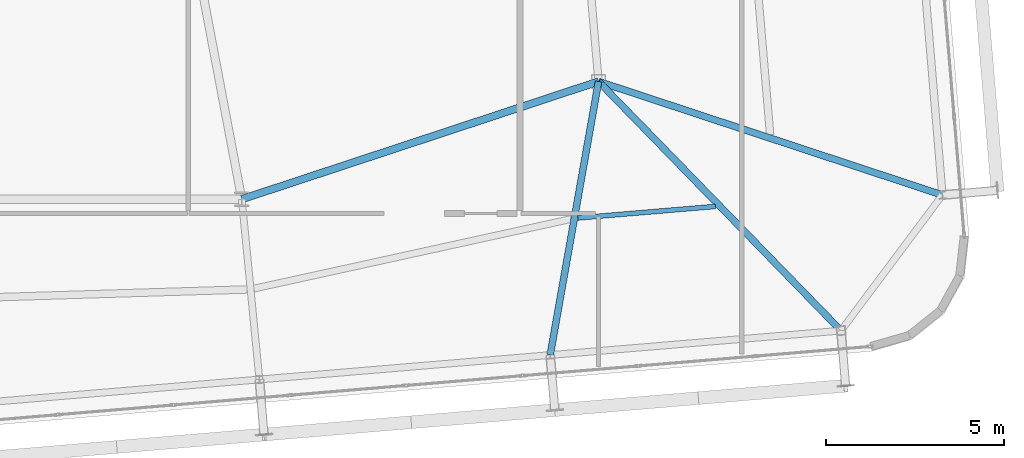
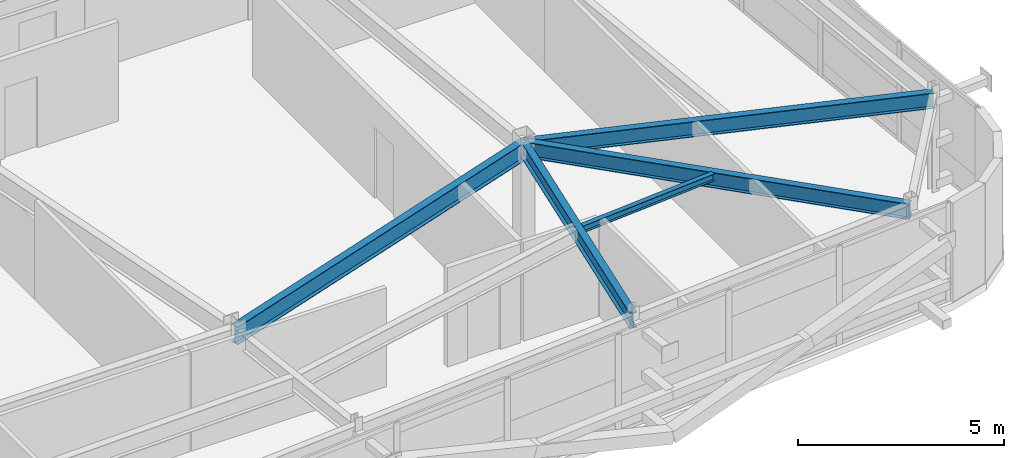
# One storey, part 21 of 44: 5 beams.
"""IFC4 building model written with IfcOpenShell, lengths in metres."""

import ifcopenshell
import ifcopenshell.guid

model = None  # the IFC model being written
_history = None  # IfcOwnerHistory: only IFC2X3 demands one
_inside = {}  # id of a spatial element -> (the spatial element, [elements in it])
_under = {}  # id of a project, library or spatial element -> (it, [spatial elements below it])
_declared = {}  # id of a project -> (the project, [libraries it declares])
_typed = {}  # id of a type object -> (the type object, [elements of that type])
_made_of = {}  # id of a material, layer set ... -> (it, [elements and type objects made of it])


def new_model(schema):
    """Start an empty IFC model of exactly this schema.

    Asked for "IFC4X3", IfcOpenShell would pick the latest addendum, in which some entities
    have other attributes; the version numbers below select the first issue.
    IFC2X3 requires an IfcOwnerHistory on every rooted entity: one is made here for all.
    """
    global model, _history
    if schema == "IFC4X3":
        model = ifcopenshell.file(schema_version=(4, 3, 0, 0))
    else:
        model = ifcopenshell.file(schema=schema)
    _inside.clear()
    _under.clear()
    _declared.clear()
    _typed.clear()
    _made_of.clear()
    _history = None
    if model.schema == "IFC2X3":
        org = make("IfcOrganization", Name="unknown")
        user = make(
            "IfcPersonAndOrganization",
            ThePerson=make("IfcPerson", FamilyName="unknown"),
            TheOrganization=org,
        )
        app = make(
            "IfcApplication",
            ApplicationDeveloper=org,
            Version="unknown",
            ApplicationFullName="unknown",
            ApplicationIdentifier="unknown",
        )
        _history = make(
            "IfcOwnerHistory",
            OwningUser=user,
            OwningApplication=app,
            ChangeAction="ADDED",
            CreationDate=0,
        )
    return model


def make(cls, **values):
    """One entity of the class cls with the attributes given. An attribute that is None is left unset."""
    return model.create_entity(
        cls, **{name: value for name, value in values.items() if value is not None}
    )


def rooted(cls, **values):
    """An entity with a GlobalId (a new one), such as an element, a storey or a relation."""
    return make(cls, GlobalId=ifcopenshell.guid.new(), OwnerHistory=_history, **values)


def si_unit(unit_type, name, prefix=None):
    """IfcSIUnit, for example si_unit("LENGTHUNIT", "METRE", prefix="MILLI")."""
    return make("IfcSIUnit", UnitType=unit_type, Prefix=prefix, Name=name)


def assignment(units):
    """IfcUnitAssignment: the units of a project."""
    return None if units is None else make("IfcUnitAssignment", Units=units)


def point(xyz):
    """IfcCartesianPoint."""
    return None if xyz is None else make("IfcCartesianPoint", Coordinates=xyz)


def direction(xyz):
    """IfcDirection."""
    return None if xyz is None else make("IfcDirection", DirectionRatios=xyz)


def frame(location, z_axis=None, x_axis=None):
    """IfcAxis2Placement3D, a coordinate frame: its origin and axes. An axis left out is left unset."""
    return make(
        "IfcAxis2Placement3D",
        Location=point(location),
        Axis=direction(z_axis),
        RefDirection=direction(x_axis),
    )


def frame_2d(location, x_axis=None):
    """IfcAxis2Placement2D, a coordinate frame in the plane: its origin and x axis."""
    return make(
        "IfcAxis2Placement2D", Location=point(location), RefDirection=direction(x_axis)
    )


def origin():
    """The frame at (0, 0, 0) with its axes left unset."""
    return frame((0.0, 0.0, 0.0))


def origin_2d():
    """The frame at (0, 0) in the plane with its x axis left unset."""
    return frame_2d((0.0, 0.0))


def place(relative_to, where):
    """IfcLocalPlacement: puts the frame where relative to a parent placement (None: the world)."""
    return make(
        "IfcLocalPlacement", PlacementRelTo=relative_to, RelativePlacement=where
    )


def context(
    kind, dimensions, precision=None, world=None, true_north=None, identifier=None
):
    """IfcGeometricRepresentationContext, for example the 3D "Model" context."""
    return make(
        "IfcGeometricRepresentationContext",
        ContextIdentifier=identifier,
        ContextType=kind,
        CoordinateSpaceDimension=dimensions,
        Precision=precision,
        WorldCoordinateSystem=world,
        TrueNorth=true_north,
    )


def subcontext(parent, identifier, kind, view, scale=None):
    """IfcGeometricRepresentationSubContext, for example "Body" below "Model"."""
    return make(
        "IfcGeometricRepresentationSubContext",
        ContextIdentifier=identifier,
        ContextType=kind,
        ParentContext=parent,
        TargetScale=scale,
        TargetView=view,
    )


def project(units=None, contexts=None):
    """IfcProject with its units and contexts."""
    return rooted(
        "IfcProject",
        Name="project",
        RepresentationContexts=contexts,
        UnitsInContext=assignment(units),
    )


def spatial(cls, under=None, at=None, **own):
    """A site, building, storey or space (cls), placed at a placement, below another one or the project."""
    s = rooted(cls, ObjectPlacement=at, **own)
    if under is not None:
        _under.setdefault(under.id(), (under, []))[1].append(s)
    return s


def profile(cls, at=None, kind="AREA", **sizes):
    """A parametric profile (cls). Its sizes go by their IFC names, for example OverallWidth=200.0."""
    return make(cls, ProfileType=kind, Position=at, **sizes)


def i_section(**sizes):
    """IfcIShapeProfileDef."""
    return profile("IfcIShapeProfileDef", **sizes)


def extrude(swept, where, along, depth):
    """IfcExtrudedAreaSolid: the profile swept, set in the frame where, extruded along a direction by depth."""
    return make(
        "IfcExtrudedAreaSolid",
        SweptArea=swept,
        Position=where,
        ExtrudedDirection=direction(along),
        Depth=depth,
    )


def shape(context_of_items, identifier, shape_type, items):
    """IfcShapeRepresentation: the items that make up one representation, for example the "Body"."""
    return make(
        "IfcShapeRepresentation",
        ContextOfItems=context_of_items,
        RepresentationIdentifier=identifier,
        RepresentationType=shape_type,
        Items=items,
    )


def source(mapping_origin, context_of_items, identifier, shape_type, items):
    """IfcRepresentationMap: a shape defined once, which mapped items show again and again."""
    return make(
        "IfcRepresentationMap",
        MappingOrigin=mapping_origin,
        MappedRepresentation=shape(context_of_items, identifier, shape_type, items),
    )


def transform(
    local_origin,
    x_axis=None,
    y_axis=None,
    z_axis=None,
    scale=None,
    scale2=None,
    scale3=None,
    uniform=True,
):
    """IfcCartesianTransformationOperator3D, or its non-uniform kind. x_axis, y_axis, z_axis: its Axis1, 2, 3."""
    if uniform:
        return make(
            "IfcCartesianTransformationOperator3D",
            Axis1=direction(x_axis),
            Axis2=direction(y_axis),
            LocalOrigin=point(local_origin),
            Scale=scale,
            Axis3=direction(z_axis),
        )
    return make(
        "IfcCartesianTransformationOperator3DnonUniform",
        Axis1=direction(x_axis),
        Axis2=direction(y_axis),
        LocalOrigin=point(local_origin),
        Scale=scale,
        Axis3=direction(z_axis),
        Scale2=scale2,
        Scale3=scale3,
    )


def mapped(mapping_source, mapping_target):
    """IfcMappedItem: shows the shape of a source again, moved by a transform."""
    return make(
        "IfcMappedItem", MappingSource=mapping_source, MappingTarget=mapping_target
    )


def material(Name=None, Category=None):
    """IfcMaterial."""
    return make("IfcMaterial", Name=Name, Category=Category)


def material_profile(
    of_material, cross_section, Name=None, Category=None, Priority=None
):
    """IfcMaterialProfile: a cross section and its material."""
    return make(
        "IfcMaterialProfile",
        Name=Name,
        Material=of_material,
        Profile=cross_section,
        Priority=Priority,
        Category=Category,
    )


def profile_set(profiles, Name=None, composite=None):
    """IfcMaterialProfileSet."""
    return make(
        "IfcMaterialProfileSet",
        Name=Name,
        MaterialProfiles=profiles,
        CompositeProfile=composite,
    )


def made_of(thing, what):
    """Note that an element or type object is made of a material, layer set ...; save() writes the relation."""
    if what is not None:
        _made_of.setdefault(what.id(), (what, []))[1].append(thing)
    return thing


def type_object(cls, material=None, **own):
    """A type object (cls), such as IfcWallType, which elements share."""
    return made_of(rooted(cls, **own), material)


def element(
    cls,
    number,
    at=None,
    inside=None,
    cuts=None,
    type_object=None,
    material=None,
    context=None,
    identifier="Body",
    shape_type=None,
    held_by="IfcProductDefinitionShape",
    body=None,
    shapes=None,
    **own,
):
    """One element of the class cls, such as IfcWall. Its Tag is "e" and its number.

    at: its placement. inside: the storey or other place that contains it. cuts: it is an
    opening in that element (IfcRelVoidsElement). A single representation is given by context,
    identifier, shape_type and body (its items); several are given by shapes. held_by: the class
    of the entity that holds the representations. save() writes the other relations.
    """
    e = rooted(cls, Tag="e%d" % number, ObjectPlacement=at, **own)
    if body is not None:
        shapes = [shape(context, identifier, shape_type, body)]
    if shapes is not None:
        e.Representation = make(held_by, Representations=shapes)
    if inside is not None:
        _inside.setdefault(inside.id(), (inside, []))[1].append(e)
    if cuts is not None:
        rooted(
            "IfcRelVoidsElement", RelatingBuildingElement=cuts, RelatedOpeningElement=e
        )
    if type_object is not None:
        _typed.setdefault(type_object.id(), (type_object, []))[1].append(e)
    return made_of(e, material)


def aggregate(whole, parts):
    """IfcRelAggregates: a whole, such as a stair, and the parts it consists of."""
    return rooted("IfcRelAggregates", RelatingObject=whole, RelatedObjects=parts)


def save(model, path):
    """Write the relations noted so far, then the file.

    IfcRelAggregates (storeys below a building ...), IfcRelContainedInSpatialStructure (elements
    in a storey), IfcRelDefinesByType, IfcRelAssociatesMaterial and IfcRelDeclares: one each for
    every whole, place, type object, material and project.
    """
    for whole, parts in _under.values():
        aggregate(whole, parts)
    for where, things in _inside.values():
        rooted(
            "IfcRelContainedInSpatialStructure",
            RelatedElements=things,
            RelatingStructure=where,
        )
    for kind, things in _typed.values():
        rooted("IfcRelDefinesByType", RelatedObjects=things, RelatingType=kind)
    for what, things in _made_of.values():
        rooted("IfcRelAssociatesMaterial", RelatedObjects=things, RelatingMaterial=what)
    for by, libraries in _declared.values():
        rooted("IfcRelDeclares", RelatingContext=by, RelatedDefinitions=libraries)
    model.write(path)


model = new_model("IFC4")

# Units and contexts
model_context = context("Model", 3, precision=1e-05, world=origin(), true_north=direction((0.0, 1.0)))
body_context = subcontext(model_context, "Body", "Model", "MODEL_VIEW")
ifc_project = project(units=[si_unit("LENGTHUNIT", "METRE"), si_unit("AREAUNIT", "SQUARE_METRE"), si_unit("VOLUMEUNIT", "CUBIC_METRE"), si_unit("PLANEANGLEUNIT", "RADIAN"), si_unit("MASSUNIT", "GRAM", prefix="KILO")], contexts=[model_context])

# Site, building, storey
site_placement = place(None, origin())
site = spatial("IfcSite", under=ifc_project, at=site_placement, CompositionType="ELEMENT")
building_placement = place(site_placement, origin())
building = spatial("IfcBuilding", under=site, at=building_placement, Name="Taldren Reach Tower", CompositionType="ELEMENT")
storey_placement = place(building_placement, frame((0.0, 0.0, 191.449951171875)))
storey = spatial("IfcBuildingStorey", under=building, at=storey_placement, Name="L58", CompositionType="ELEMENT", Elevation=191.449951171875)

# Beams
ifc_material_1 = material(Name="Steel Gr 350 (350PLUS)", Category="steel")
ifc_material_profile_1 = material_profile(ifc_material_1, i_section(OverallWidth=0.208984375, OverallDepth=0.532958984375, WebThickness=0.01025390625, FlangeThickness=0.015625, at=origin_2d()), Name="530UB92.4")
ifc_profile_set_1 = profile_set([ifc_material_profile_1], Name="Steel Gr 350 (350PLUS)")
beam_type_1 = type_object("IfcBeamType", Name="BM-UB530A", PredefinedType="BEAM", material=ifc_profile_set_1)
shared_shape_1 = source(origin(), body_context, "Body", "SweptSolid", [
    extrude(i_section(OverallWidth=0.208984375, OverallDepth=0.532958984375, WebThickness=0.01025390625, FlangeThickness=0.015625, at=origin_2d()), origin(), (0.0, 0.0, 1.0), 10.530517578125),
])
beam_1_placement = place(storey_placement, frame((42.0, 9.199951171875, 2.66357421875), z_axis=(0.949627269203, 0.313381635689, 0.0), x_axis=(-0.313381635689, 0.949627269203, 0.0)))
element("IfcBeam", 1, at=beam_1_placement, inside=storey, type_object=beam_type_1, Name="Core-spine girder L58-SP12", PredefinedType="BEAM", context=body_context, shape_type="MappedRepresentation", body=[
    mapped(shared_shape_1, transform((0.0, 0.0, 0.0), scale=1.0)),
])
ifc_material_profile_2 = material_profile(ifc_material_1, i_section(OverallWidth=0.19091796875, OverallDepth=0.4599609375, WebThickness=0.010009765625, FlangeThickness=0.01611328125, at=origin_2d()), Name="460UB82.1")
ifc_profile_set_2 = profile_set([ifc_material_profile_2], Name="Steel Gr 350 (350PLUS)")
beam_type_2 = type_object("IfcBeamType", Name="BM-UB460A", PredefinedType="BEAM", material=ifc_profile_set_2)
shared_shape_2 = source(origin(), body_context, "Body", "SweptSolid", [
    extrude(i_section(OverallWidth=0.19091796875, OverallDepth=0.4599609375, WebThickness=0.010009765625, FlangeThickness=0.01611328125, at=origin_2d()), origin(), (0.0, 0.0, 1.0), 7.786865234375),
])
beam_2_placement = place(storey_placement, frame((52.0, 12.5, 2.699951171875), z_axis=(-0.174041097858, -0.984738389755, 0.0), x_axis=(0.984738389755, -0.174041097858, 0.0)))
element("IfcBeam", 2, at=beam_2_placement, inside=storey, type_object=beam_type_2, Name="Primary floor girder B4-S5 L58", PredefinedType="BEAM", context=body_context, shape_type="MappedRepresentation", body=[
    mapped(shared_shape_2, transform((0.0, 0.0, 0.0), scale=1.0)),
])
shared_shape_3 = source(origin(), body_context, "Body", "SweptSolid", [
    extrude(i_section(OverallWidth=0.19091796875, OverallDepth=0.4599609375, WebThickness=0.010009765625, FlangeThickness=0.01611328125, at=origin_2d()), origin(), (0.0, 0.0, 1.0), 9.74462890625),
])
beam_3_placement = place(storey_placement, frame((52.0, 12.5, 2.699951171875), z_axis=(0.697420698235, -0.716661963323, 0.0), x_axis=(0.716661963323, 0.697420698235, 0.0)))
element("IfcBeam", 3, at=beam_3_placement, inside=storey, type_object=beam_type_2, Name="Primary floor girder B4-S6 L58", PredefinedType="BEAM", context=body_context, shape_type="MappedRepresentation", body=[
    mapped(shared_shape_3, transform((0.0, 0.0, 0.0), scale=1.0)),
])
shared_shape_4 = source(origin(), body_context, "Body", "SweptSolid", [
    extrude(i_section(OverallWidth=0.19091796875, OverallDepth=0.4599609375, WebThickness=0.010009765625, FlangeThickness=0.01611328125, at=origin_2d()), origin(), (0.0, 0.0, 1.0), 10.14990234375),
])
beam_4_placement = place(storey_placement, frame((52.0, 12.5, 2.699951171875), z_axis=(0.949576668396, -0.313534927619, 0.0), x_axis=(0.313534927619, 0.949576668396, 0.0)))
element("IfcBeam", 4, at=beam_4_placement, inside=storey, type_object=beam_type_2, Name="Primary floor girder B4-E1 L58", PredefinedType="BEAM", context=body_context, shape_type="MappedRepresentation", body=[
    mapped(shared_shape_4, transform((0.0, 0.0, 0.0), scale=1.0)),
])
ifc_material_2 = material(Name="Steel Gr 300 (300PLUS, 300 MPa)", Category="steel")
ifc_material_profile_3 = material_profile(ifc_material_2, i_section(OverallWidth=0.134033203125, OverallDepth=0.20703125, WebThickness=0.00634765625, FlangeThickness=0.009521484375, at=origin_2d()), Name="200UB29.8")
ifc_profile_set_3 = profile_set([ifc_material_profile_3], Name="Steel Gr 300 (300PLUS, 300 MPa)")
beam_type_3 = type_object("IfcBeamType", Name="JS-UB200", PredefinedType="JOIST", material=ifc_profile_set_3)
shared_shape_5 = source(origin(), body_context, "Body", "SweptSolid", [
    extrude(i_section(OverallWidth=0.134033203125, OverallDepth=0.20703125, WebThickness=0.00634765625, FlangeThickness=0.009521484375, at=origin_2d()), origin(), (0.0, 0.0, 1.0), 3.86767578125),
])
beam_5_placement = place(storey_placement, frame((51.4208984375, 8.67431640625, 2.82666015625), z_axis=(0.996495950743, 0.083641019557, 0.0), x_axis=(-0.083641019557, 0.996495950743, 0.0)))
element("IfcBeam", 5, at=beam_5_placement, inside=storey, type_object=beam_type_3, Name="Secondary floor joist B4 J5 L58", PredefinedType="JOIST", context=body_context, shape_type="MappedRepresentation", body=[
    mapped(shared_shape_5, transform((0.0, 0.0, 0.0), scale=1.0)),
])

save(model, "model.ifc")
